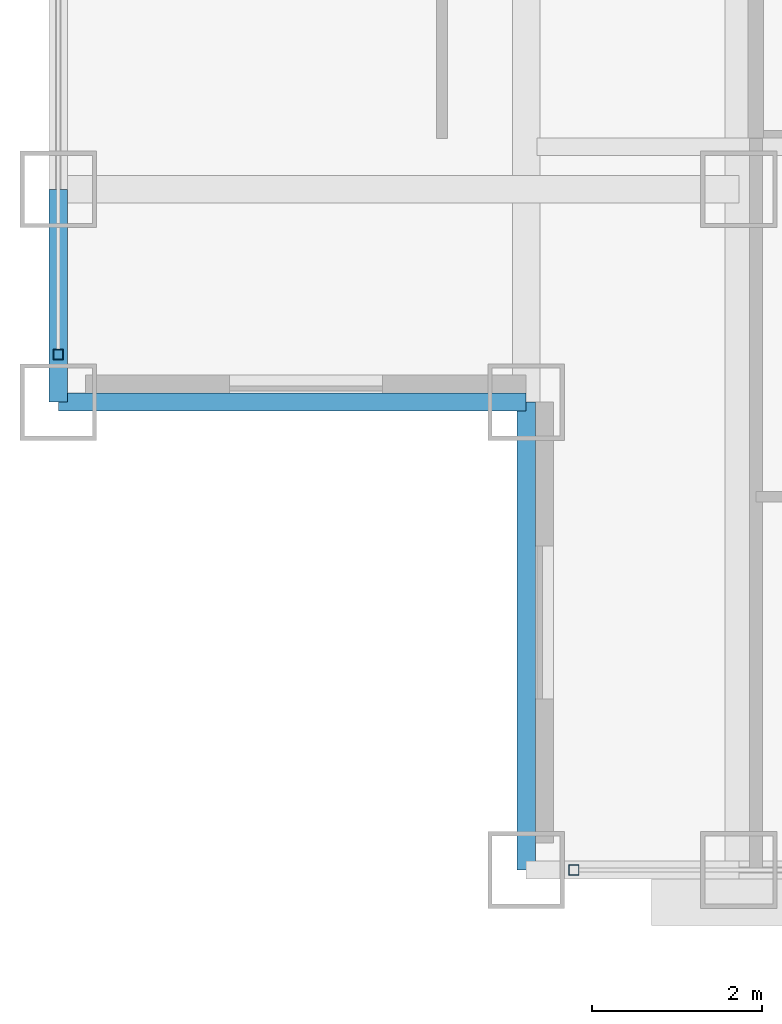
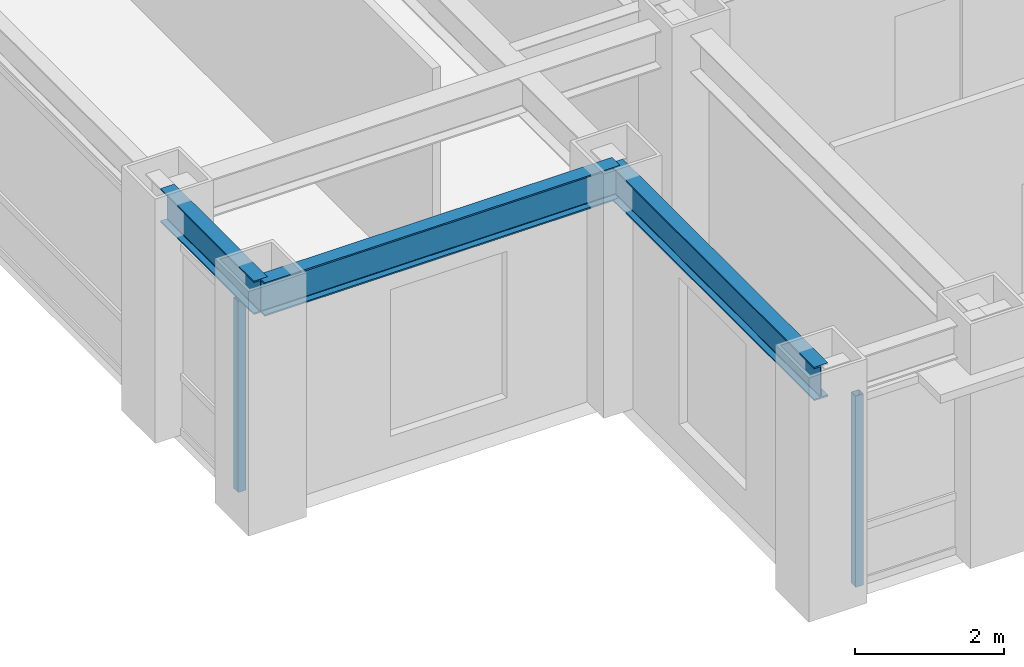
# One storey, part 2 of 29: 3 beams, 2 members, 2 elements without a shape of their own.
"""IFC4 building model written with IfcOpenShell, lengths in metres."""

from ifc_helpers import new_model, si_unit, direction, frame, origin, origin_2d, place, context, subcontext, project, spatial, hollow_rectangle, i_section, extrude, source, transform, mapped, material, material_profile, profile_set, type_object, element, aggregate, save


model = new_model("IFC4")

# Units and contexts
model_context = context("Model", 3, precision=1e-05, world=origin(), true_north=direction((0.0, 1.0)))
body_context = subcontext(model_context, "Body", "Model", "MODEL_VIEW")
ifc_project = project(units=[si_unit("LENGTHUNIT", "METRE"), si_unit("AREAUNIT", "SQUARE_METRE"), si_unit("VOLUMEUNIT", "CUBIC_METRE"), si_unit("PLANEANGLEUNIT", "RADIAN"), si_unit("MASSUNIT", "GRAM", prefix="KILO")], contexts=[model_context])

# Site, building, storey
site_placement = place(None, origin())
site = spatial("IfcSite", under=ifc_project, at=site_placement, CompositionType="ELEMENT")
building_placement = place(site_placement, origin())
building = spatial("IfcBuilding", under=site, at=building_placement, Name="Khorayat Bourse Tower", CompositionType="ELEMENT")
storey_placement = place(building_placement, frame((0.0, 0.0, 277.5)))
storey = spatial("IfcBuildingStorey", under=building, at=storey_placement, Name="L65", CompositionType="ELEMENT", Elevation=277.5)

# Beams
ifc_material_1 = material(Name="Steel ASTM A992 Grade 50", Category="steel")
ifc_material_profile_1 = material_profile(ifc_material_1, i_section(OverallWidth=0.214111328125, OverallDepth=0.549072265625, WebThickness=0.0146484375, FlangeThickness=0.023681640625, FilletRadius=0.013916015625, at=origin_2d()), Name="W530X138")
ifc_profile_set_1 = profile_set([ifc_material_profile_1], Name="Steel ASTM A992 Grade 50")
beam_type = type_object("IfcBeamType", Name="BM-SPAN-530", PredefinedType="SPANDREL", material=ifc_profile_set_1)
shared_shape_1 = source(origin(), body_context, "Body", "SweptSolid", [
    extrude(i_section(OverallWidth=0.214111328125, OverallDepth=0.549072265625, WebThickness=0.0146484375, FlangeThickness=0.023681640625, FilletRadius=0.013916015625, at=origin_2d()), origin(), (0.0, 0.0, 1.0), 2.5),
])
beam_placement = place(storey_placement, frame((-28.0, -22.5, 3.505615234375), z_axis=(0.0, 1.0, 0.0), x_axis=(-1.0, 0.0, 0.0)))
element("IfcBeam", 1, at=beam_placement, inside=storey, type_object=beam_type, Name="L65 BM-SPAN-530 BM-L65-SPN-061", PredefinedType="SPANDREL", context=body_context, shape_type="MappedRepresentation", body=[
    mapped(shared_shape_1, transform((0.0, 0.0, 0.0), scale=1.0)),
])
shared_shape_2 = source(origin(), body_context, "Body", "SweptSolid", [
    extrude(i_section(OverallWidth=0.214111328125, OverallDepth=0.549072265625, WebThickness=0.0146484375, FlangeThickness=0.023681640625, FilletRadius=0.013916015625, at=origin_2d()), origin(), (0.0, 0.0, 1.0), 5.5),
])
for number, where, z_axis, x_axis, name in (
    (2, (-28.0, -22.5, 3.505615234375), (1.0, 0.0, 0.0), (0.0, 1.0, 0.0), "L65 BM-SPAN-530 BM-L65-SPN-062"),
    (3, (-22.5, -28.0, 3.505615234375), (0.0, 1.0, 0.0), (-1.0, 0.0, 0.0), "L65 BM-SPAN-530 BM-L65-SPN-063"),
):
    element("IfcBeam", number, at=place(storey_placement, frame(where, z_axis=z_axis, x_axis=x_axis)), inside=storey, type_object=beam_type, Name=name, PredefinedType="SPANDREL", context=body_context, shape_type="MappedRepresentation", body=[
        mapped(shared_shape_2, transform((0.0, 0.0, 0.0), scale=1.0)),
    ])

# Curtain wall, member
ifc_material_2 = material(Name="Aluminium EN AW-6063 T6", Category="aluminium")
curtain_wall_type = type_object("IfcCurtainWallType", Name="CW-SYS-04", PredefinedType="NOTDEFINED", material=ifc_material_2)
curtain_wall_1_placement = place(storey_placement, origin())
curtain_wall_1 = element("IfcCurtainWall", 4, at=curtain_wall_1_placement, inside=storey, type_object=curtain_wall_type, Name="L65 Curtain Wall CW-L65-S1", PredefinedType="NOTDEFINED")
ifc_material_profile_2 = material_profile(ifc_material_2, hollow_rectangle(XDim=0.1201171875, YDim=0.1201171875, WallThickness=0.0048828125, at=origin_2d()), Name="ALU 120x120x5")
ifc_profile_set_2 = profile_set([ifc_material_profile_2], Name="Aluminium EN AW-6063 T6")
member_type = type_object("IfcMemberType", Name="CWM-VERT-120", PredefinedType="MULLION", material=ifc_profile_set_2)
shared_shape_3 = source(origin(), body_context, "Body", "SweptSolid", [
    extrude(hollow_rectangle(XDim=0.1201171875, YDim=0.1201171875, WallThickness=0.0048828125, at=origin_2d()), origin(), (0.0, 0.0, 1.0), 3.1298828125),
])
member_1_placement = place(storey_placement, frame((-21.93994140625, -28.0, 0.0), z_axis=(0.0, 0.0, 1.0), x_axis=(0.0, 1.0, 0.0)))
member_1 = element("IfcMember", 5, at=member_1_placement, type_object=member_type, Name="CW-L65-S1 Vertical Mullion 1", PredefinedType="MULLION", context=body_context, shape_type="MappedRepresentation", body=[
    mapped(shared_shape_3, transform((0.0, 0.0, 0.0), scale=1.0)),
])
aggregate(curtain_wall_1, [member_1])

curtain_wall_2_placement = place(storey_placement, origin())
curtain_wall_2 = element("IfcCurtainWall", 6, at=curtain_wall_2_placement, inside=storey, type_object=curtain_wall_type, Name="L65 Curtain Wall CW-L65-W1", PredefinedType="NOTDEFINED")
member_2_placement = place(storey_placement, frame((-28.0, -21.93994140625, 0.0), z_axis=(0.0, 0.0, 1.0), x_axis=(-1.0, 0.0, 0.0)))
member_2 = element("IfcMember", 7, at=member_2_placement, type_object=member_type, Name="CW-L65-W1 Vertical Mullion 1", PredefinedType="MULLION", context=body_context, shape_type="MappedRepresentation", body=[
    mapped(shared_shape_3, transform((0.0, 0.0, 0.0), scale=1.0)),
])
aggregate(curtain_wall_2, [member_2])

save(model, "model.ifc")
